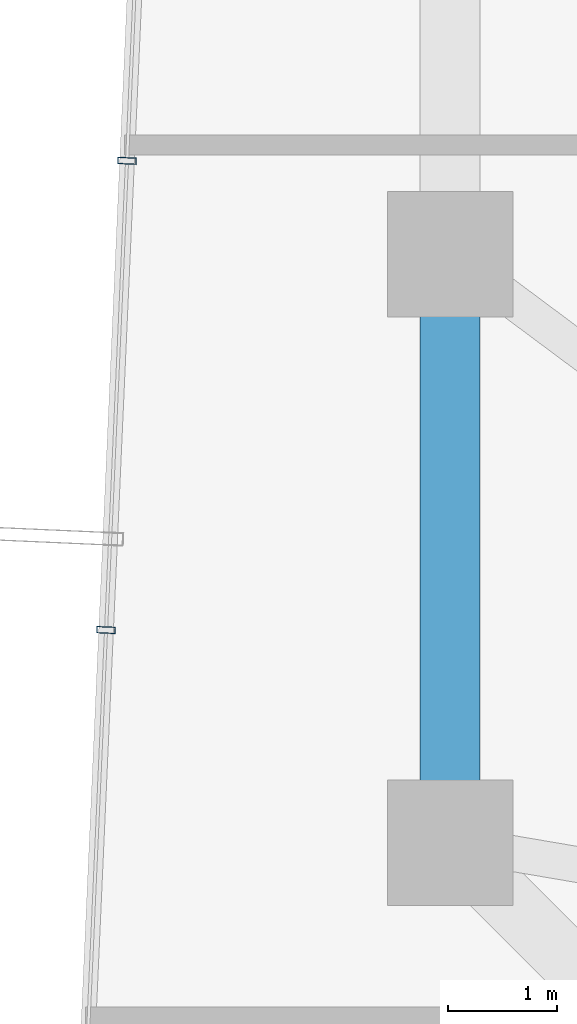
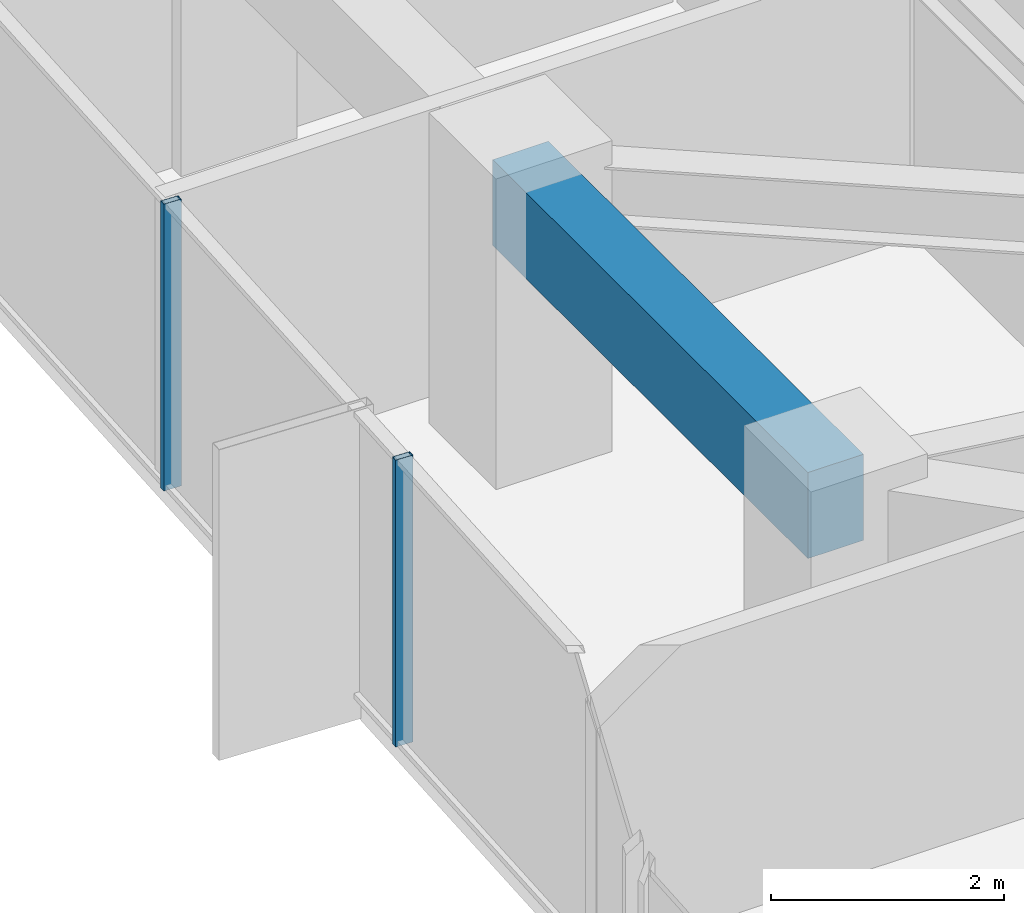
# One storey, part 8 of 30: 2 members, 1 beam, 1 element without a shape of its own.
"""IFC4 building model written with IfcOpenShell, lengths in metres."""

from ifc_helpers import new_model, si_unit, direction, frame, origin, origin_2d, place, context, subcontext, project, spatial, rectangle, hollow_rectangle, extrude, source, transform, mapped, material, layer, layer_set, material_profile, profile_set, type_object, element, aggregate, save


model = new_model("IFC4")

# Units and contexts
model_context = context("Model", 3, precision=1e-05, world=origin(), true_north=direction((0.0, 1.0)))
body_context = subcontext(model_context, "Body", "Model", "MODEL_VIEW")
ifc_project = project(units=[si_unit("LENGTHUNIT", "METRE"), si_unit("AREAUNIT", "SQUARE_METRE"), si_unit("VOLUMEUNIT", "CUBIC_METRE"), si_unit("PLANEANGLEUNIT", "RADIAN"), si_unit("MASSUNIT", "GRAM", prefix="KILO")], contexts=[model_context])

# Site, building, storey
site_placement = place(None, origin())
site = spatial("IfcSite", under=ifc_project, at=site_placement, CompositionType="ELEMENT")
building_placement = place(site_placement, origin())
building = spatial("IfcBuilding", under=site, at=building_placement, Name="Veraguas Prism Commons", CompositionType="ELEMENT")
storey_placement = place(building_placement, frame((0.0, 0.0, 119.75)))
storey = spatial("IfcBuildingStorey", under=building, at=storey_placement, Name="L33", CompositionType="ELEMENT", Elevation=119.75)

# Beam
ifc_material_1 = material(Name="Concrete C50/60", Category="concrete")
ifc_material_profile_1 = material_profile(ifc_material_1, rectangle(XDim=0.550048828125, YDim=0.89990234375, at=origin_2d()), Name="RC550X900")
ifc_profile_set_1 = profile_set([ifc_material_profile_1], Name="Concrete C50/60")
beam_type = type_object("IfcBeamType", Name="Perimeter Spandrel Lower RC 550x900", PredefinedType="SPANDREL", material=ifc_profile_set_1)
beam_placement = place(storey_placement, frame((7.800048828125, 24.0, 2.550048828125), z_axis=(0.0, -1.0, 0.0), x_axis=(1.0, 0.0, 0.0)))
element("IfcBeam", 1, at=beam_placement, inside=storey, type_object=beam_type, Name="Perimeter Spandrel Beam L33-SP08", PredefinedType="SPANDREL", context=body_context, shape_type="SweptSolid", body=[
    extrude(rectangle(XDim=0.550048828125, YDim=0.89990234375, at=origin_2d()), origin(), (0.0, 0.0, 1.0), 5.39990234375),
])

# Curtain wall, members
ifc_material_2 = material(Name="Anodised aluminium EN AW-6063 T6", Category="aluminium")
ifc_layer = layer(ifc_material_2, 0.169921875, Name="Unitised Flush Curtain Wall Zone 2", Category="aluminium")
ifc_layer_set = layer_set([ifc_layer], Name="Anodised aluminium EN AW-6063 T6")
curtain_wall_type = type_object("IfcCurtainWallType", Name="Unitised Flush Curtain Wall Zone 2", PredefinedType="NOTDEFINED", material=ifc_layer_set)
curtain_wall_placement = place(storey_placement, origin())
curtain_wall = element("IfcCurtainWall", 2, at=curtain_wall_placement, inside=storey, type_object=curtain_wall_type, Name="Tower Facade Curtain Wall L33-F3", PredefinedType="NOTDEFINED")
ifc_material_profile_2 = material_profile(ifc_material_2, hollow_rectangle(XDim=0.06005859375, YDim=0.169921875, WallThickness=0.00390625, at=origin_2d()), Name="AL60X170X4")
ifc_profile_set_2 = profile_set([ifc_material_profile_2], Name="Anodised aluminium EN AW-6063 T6")
member_type = type_object("IfcMemberType", Name="Curtain Wall Mullion Lower AL 60x170x4", PredefinedType="MULLION", material=ifc_profile_set_2)
shared_shape = source(origin(), body_context, "Body", "SweptSolid", [
    extrude(hollow_rectangle(XDim=0.06005859375, YDim=0.169921875, WallThickness=0.00390625, at=origin_2d()), origin(), (0.0, 0.0, 1.0), 3.0),
])
member_1_placement = place(storey_placement, frame((4.836669921875, 24.856689453125, 0.0), z_axis=(0.0, 0.0, 1.0), x_axis=(-0.044667307696, -0.999001917728, 0.0)))
member_1 = element("IfcMember", 3, at=member_1_placement, type_object=member_type, Name="CW-Z2 Mullion 3", PredefinedType="MULLION", context=body_context, shape_type="MappedRepresentation", body=[
    mapped(shared_shape, transform((0.0, 0.0, 0.0), scale=1.0)),
])
member_2_placement = place(storey_placement, frame((4.644287109375, 20.552490234375, 0.0), z_axis=(0.0, 0.0, 1.0), x_axis=(-0.044667307696, -0.999001917728, 0.0)))
member_2 = element("IfcMember", 4, at=member_2_placement, type_object=member_type, Name="CW-Z2 Mullion 4", PredefinedType="MULLION", context=body_context, shape_type="MappedRepresentation", body=[
    mapped(shared_shape, transform((0.0, 0.0, 0.0), scale=1.0)),
])
aggregate(curtain_wall, [member_1, member_2])

save(model, "model.ifc")
